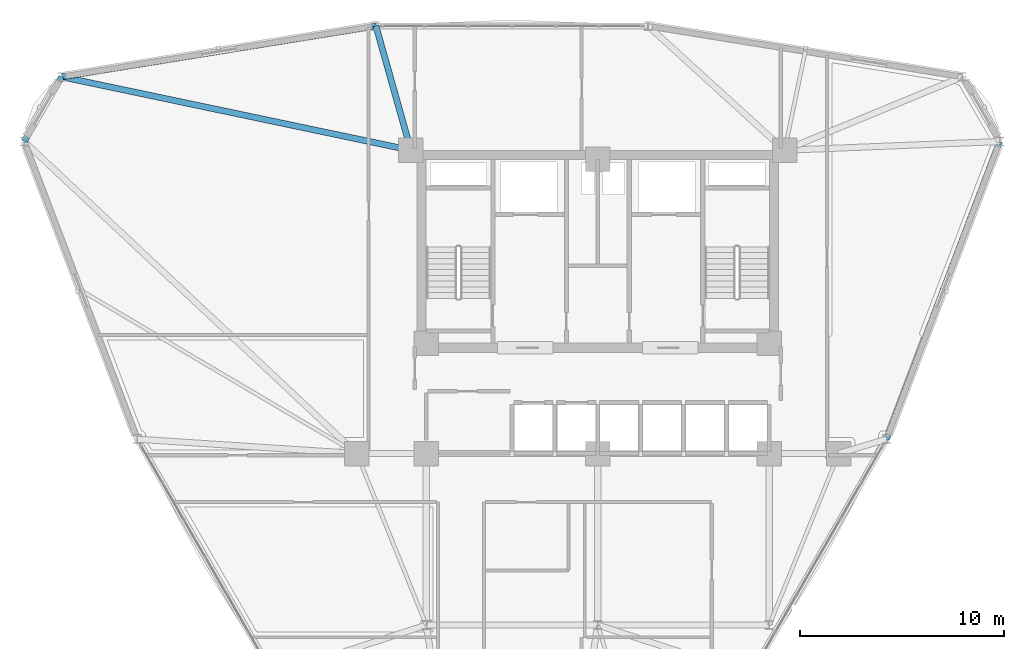
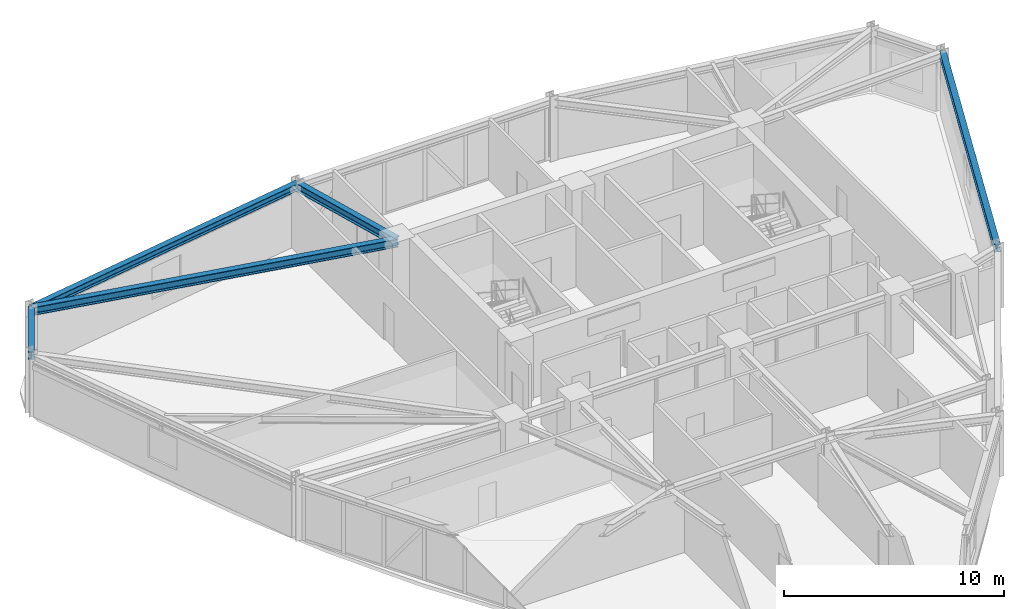
# One storey, part 9 of 18: 5 beams.
"""IFC4 building model written with IfcOpenShell, lengths in metres."""

from ifc_helpers import new_model, si_unit, derived_unit, direction, frame, origin, origin_2d, place, context, subcontext, project, spatial, i_section, extrude, source, transform, mapped, material, material_profile, profile_set, type_object, element, save


model = new_model("IFC4")

# Units and contexts
model_context = context("Model", 3, precision=1e-05, world=origin(), true_north=direction((0.0, 1.0)))
body_context = subcontext(model_context, "Body", "Model", "MODEL_VIEW")
ifc_project = project(units=[si_unit("LENGTHUNIT", "METRE"), si_unit("AREAUNIT", "SQUARE_METRE"), si_unit("VOLUMEUNIT", "CUBIC_METRE"), si_unit("PLANEANGLEUNIT", "RADIAN"), si_unit("MASSUNIT", "GRAM", prefix="KILO"), derived_unit("THERMALTRANSMITTANCEUNIT", [(si_unit("POWERUNIT", "WATT"), 1), (si_unit("LENGTHUNIT", "METRE"), -2), (si_unit("THERMODYNAMICTEMPERATUREUNIT", "KELVIN"), -1)])], contexts=[model_context])

# Site, building, storey
site_placement = place(None, origin())
site = spatial("IfcSite", under=ifc_project, at=site_placement, CompositionType="ELEMENT")
building_placement = place(site_placement, origin())
building = spatial("IfcBuilding", under=site, at=building_placement, Name="Korsvarv Bourse and Concert Hall", CompositionType="ELEMENT")
storey_placement = place(building_placement, frame((0.0, 0.0, 139.800048828125)))
storey = spatial("IfcBuildingStorey", under=building, at=storey_placement, Name="L35", CompositionType="ELEMENT", Elevation=139.800048828125)

# Beams
ifc_material = material(Name="Steel S355", Category="steel")
ifc_material_profile_1 = material_profile(ifc_material, i_section(OverallWidth=0.300048828125, OverallDepth=0.39990234375, WebThickness=0.013427734375, FlangeThickness=0.02392578125, FilletRadius=0.02099609375, at=origin_2d()), Name="HEB 400")
ifc_profile_set_1 = profile_set([ifc_material_profile_1], Name="Steel S355")
beam_type_1 = type_object("IfcBeamType", Name="BM-HEB400", PredefinedType="SPANDREL", material=ifc_profile_set_1)
shared_shape_1 = source(origin(), body_context, "Body", "SweptSolid", [
    extrude(i_section(OverallWidth=0.300048828125, OverallDepth=0.39990234375, WebThickness=0.013427734375, FlangeThickness=0.02392578125, FilletRadius=0.02099609375, at=origin_2d()), origin(), (0.0, 0.0, 1.0), 15.593017578125),
])
beam_1_placement = place(storey_placement, frame((25.13623046875, 53.3369140625, 3.199951171875), z_axis=(-0.987167652814, -0.159687273249, 0.0), x_axis=(0.159687273249, -0.987167652814, 0.0)))
element("IfcBeam", 1, at=beam_1_placement, inside=storey, type_object=beam_type_1, Name="L35 beam B-09", PredefinedType="SPANDREL", context=body_context, shape_type="MappedRepresentation", body=[
    mapped(shared_shape_1, transform((0.0, 0.0, 0.0), scale=1.0)),
])
shared_shape_2 = source(origin(), body_context, "Body", "SweptSolid", [
    extrude(i_section(OverallWidth=0.300048828125, OverallDepth=0.39990234375, WebThickness=0.013427734375, FlangeThickness=0.02392578125, FilletRadius=0.02099609375, at=origin_2d()), origin(), (0.0, 0.0, 1.0), 3.6591796875),
])
beam_2_placement = place(storey_placement, frame((9.743408203125, 50.846923828125, 3.199951171875), z_axis=(-0.499999675036, -0.866025591402, 0.0), x_axis=(0.866025591402, -0.499999675036, 0.0)))
element("IfcBeam", 2, at=beam_2_placement, inside=storey, type_object=beam_type_1, Name="L35 beam B-09", PredefinedType="SPANDREL", context=body_context, shape_type="MappedRepresentation", body=[
    mapped(shared_shape_2, transform((0.0, 0.0, 0.0), scale=1.0)),
])
shared_shape_3 = source(origin(), body_context, "Body", "SweptSolid", [
    extrude(i_section(OverallWidth=0.300048828125, OverallDepth=0.39990234375, WebThickness=0.013427734375, FlangeThickness=0.02392578125, FilletRadius=0.02099609375, at=origin_2d()), origin(), (0.0, 0.0, 1.0), 15.5927734375),
])
beam_3_placement = place(storey_placement, frame((50.14599609375, 33.1025390625, 3.199951171875), z_axis=(0.355308330885, 0.934749158868, 0.0), x_axis=(-0.934749158868, 0.355308330885, 0.0)))
element("IfcBeam", 3, at=beam_3_placement, inside=storey, type_object=beam_type_1, Name="L35 beam B-09", PredefinedType="SPANDREL", context=body_context, shape_type="MappedRepresentation", body=[
    mapped(shared_shape_3, transform((0.0, 0.0, 0.0), scale=1.0)),
])
ifc_material_profile_2 = material_profile(ifc_material, i_section(OverallWidth=0.300048828125, OverallDepth=0.449951171875, WebThickness=0.013916015625, FlangeThickness=0.02587890625, FilletRadius=0.02099609375, at=origin_2d()), Name="HEB 450")
ifc_profile_set_2 = profile_set([ifc_material_profile_2], Name="Steel S355")
beam_type_2 = type_object("IfcBeamType", Name="BM-HEB450", PredefinedType="SPANDREL", material=ifc_profile_set_2)
shared_shape_4 = source(origin(), body_context, "Body", "SweptSolid", [
    extrude(i_section(OverallWidth=0.300048828125, OverallDepth=0.449951171875, WebThickness=0.013916015625, FlangeThickness=0.02587890625, FilletRadius=0.02099609375, at=origin_2d()), origin(), (0.0, 0.0, 1.0), 6.323486328125),
])
beam_4_placement = place(storey_placement, frame((25.13623046875, 53.3369140625, 3.175048828125), z_axis=(0.271027315496, -0.962571656686, 0.0), x_axis=(0.962571656686, 0.271027315496, 0.0)))
element("IfcBeam", 4, at=beam_4_placement, inside=storey, type_object=beam_type_2, Name="L35 beam B-08", PredefinedType="SPANDREL", context=body_context, shape_type="MappedRepresentation", body=[
    mapped(shared_shape_4, transform((0.0, 0.0, 0.0), scale=1.0)),
])
shared_shape_5 = source(origin(), body_context, "Body", "SweptSolid", [
    extrude(i_section(OverallWidth=0.300048828125, OverallDepth=0.449951171875, WebThickness=0.013916015625, FlangeThickness=0.02587890625, FilletRadius=0.02099609375, at=origin_2d()), origin(), (0.0, 0.0, 1.0), 17.480712890625),
])
beam_5_placement = place(storey_placement, frame((9.743408203125, 50.846923828125, 3.175048828125), z_axis=(0.978601470044, -0.205764824076, 0.0), x_axis=(0.205764824076, 0.978601470044, 0.0)))
element("IfcBeam", 5, at=beam_5_placement, inside=storey, type_object=beam_type_2, Name="L35 beam B-08", PredefinedType="SPANDREL", context=body_context, shape_type="MappedRepresentation", body=[
    mapped(shared_shape_5, transform((0.0, 0.0, 0.0), scale=1.0)),
])

save(model, "model.ifc")
